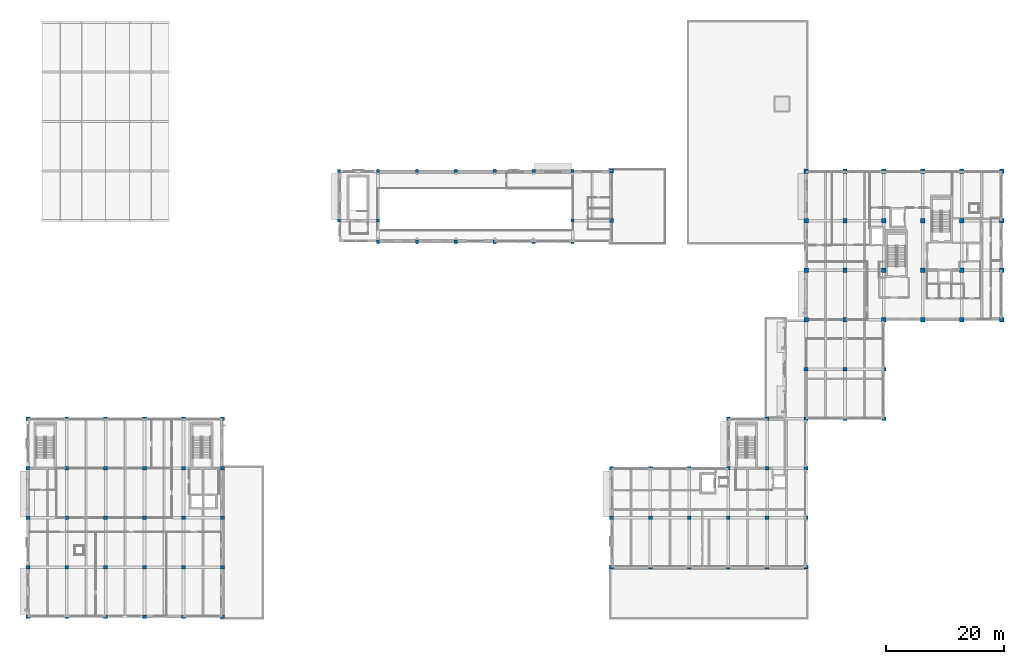
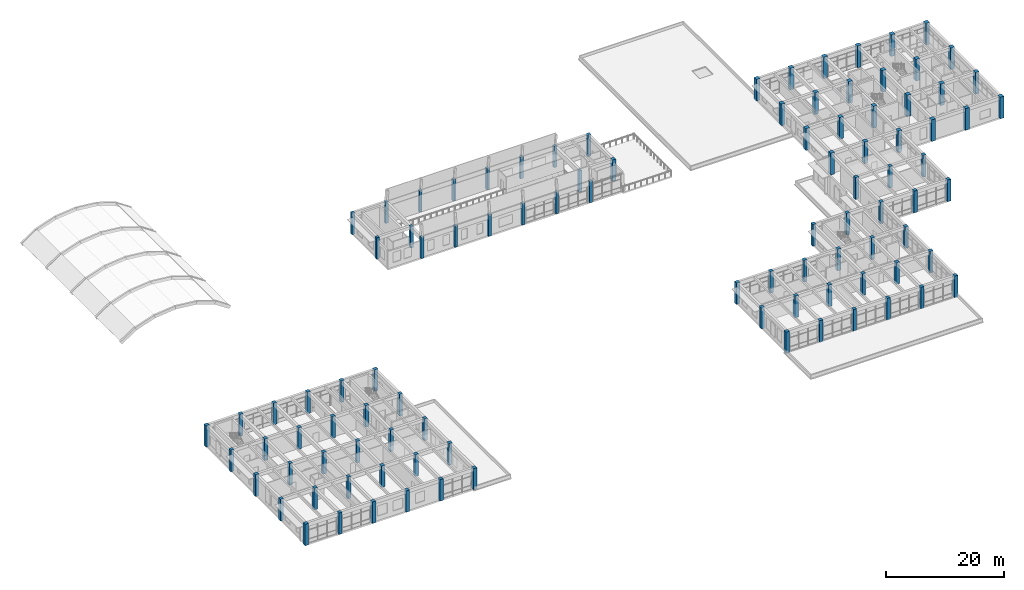
# One storey, part 1 of 50: 98 columns.
"""IFC4 building model written with IfcOpenShell, lengths in metres."""

from ifc_helpers import new_model, si_unit, direction, frame, origin, origin_2d, place, context, subcontext, project, spatial, rectangle, extrude, material, material_profile, profile_set, type_object, element, save


model = new_model("IFC4")

# Units and contexts
model_context = context("Model", 3, precision=1e-05, world=origin(), true_north=direction((0.0, 1.0)))
body_context = subcontext(model_context, "Body", "Model", "MODEL_VIEW")
ifc_project = project(units=[si_unit("LENGTHUNIT", "METRE"), si_unit("AREAUNIT", "SQUARE_METRE"), si_unit("VOLUMEUNIT", "CUBIC_METRE"), si_unit("PLANEANGLEUNIT", "RADIAN"), si_unit("MASSUNIT", "GRAM", prefix="KILO")], contexts=[model_context])

# Site, building, storey
site_placement = place(None, origin())
site = spatial("IfcSite", under=ifc_project, at=site_placement, CompositionType="ELEMENT")
building_placement = place(site_placement, origin())
building = spatial("IfcBuilding", under=site, at=building_placement, Name="Kolvaren Faculty of Natural Sciences", CompositionType="ELEMENT")
storey_placement = place(building_placement, frame((0.0, 0.0, 15.0)))
storey = spatial("IfcBuildingStorey", under=building, at=storey_placement, Name="L03", CompositionType="ELEMENT", Elevation=15.0)

# Columns
ifc_material_1 = material(Name="Concrete C40/50", Category="concrete")
ifc_material_profile_1 = material_profile(ifc_material_1, rectangle(XDim=0.75, YDim=0.75, at=origin_2d()), Name="RC COL 750x750")
ifc_profile_set_1 = profile_set([ifc_material_profile_1], Name="Concrete C40/50")
column_type_1 = type_object("IfcColumnType", Name="TowerColumn_750x750", PredefinedType="COLUMN", material=ifc_profile_set_1)
for number, where, z_axis, x_axis, name in (
    (1, (138.800048828125, 59.0, 0.0), (0.0, 0.0, 1.0), (1.0, 0.0, 0.0), "L03 column TC-75 at 22/H"),
    (2, (138.800048828125, 67.39990234375, 0.0), (0.0, 0.0, 1.0), (1.0, 0.0, 0.0), "L03 column TC-75 at 22/J"),
    (3, (138.800048828125, 75.800048828125, 0.0), (0.0, 0.0, 1.0), (1.0, 0.0, 0.0), "L03 column TC-75 at 22/K"),
    (4, (138.800048828125, 84.199951171875, 0.0), (0.0, 0.0, 1.0), (1.0, 0.0, 0.0), "L03 column TC-75 at 22/L"),
    (5, (145.39990234375, 59.0, 0.0), (0.0, 0.0, 1.0), (1.0, 0.0, 0.0), "L03 column TC-75 at 23/H"),
    (6, (145.39990234375, 67.39990234375, 0.0), (0.0, 0.0, 1.0), (1.0, 0.0, 0.0), "L03 column TC-75 at 23/J"),
    (7, (145.39990234375, 75.800048828125, 0.0), (0.0, 0.0, 1.0), (1.0, 0.0, 0.0), "L03 column TC-75 at 23/K"),
    (8, (145.39990234375, 84.199951171875, 0.0), (0.0, 0.0, 1.0), (1.0, 0.0, 0.0), "L03 column TC-75 at 23/L"),
    (9, (152.0, 59.0, 0.0), (0.0, 0.0, 1.0), (1.0, 0.0, 0.0), "L03 column TC-75 at 24/H"),
    (10, (152.0, 67.39990234375, 0.0), (0.0, 0.0, 1.0), (1.0, 0.0, 0.0), "L03 column TC-75 at 24/J"),
    (11, (152.0, 75.800048828125, 0.0), (0.0, 0.0, 1.0), (1.0, 0.0, 0.0), "L03 column TC-75 at 24/K"),
    (12, (152.0, 84.199951171875, 0.0), (0.0, 0.0, 1.0), (1.0, 0.0, 0.0), "L03 column TC-75 at 24/L"),
    (13, (158.60009765625, 59.0, 0.0), (0.0, 0.0, 1.0), (1.0, 0.0, 0.0), "L03 column TC-75 at 25/H"),
    (14, (158.60009765625, 67.39990234375, 0.0), (0.0, 0.0, 1.0), (1.0, 0.0, 0.0), "L03 column TC-75 at 25/J"),
    (15, (158.60009765625, 75.800048828125, 0.0), (0.0, 0.0, 1.0), (1.0, 0.0, 0.0), "L03 column TC-75 at 25/K"),
    (16, (158.60009765625, 84.199951171875, 0.0), (0.0, 0.0, 1.0), (1.0, 0.0, 0.0), "L03 column TC-75 at 25/L"),
    (17, (165.199951171875, 59.0, 0.0), (0.0, 0.0, 1.0), (1.0, 0.0, 0.0), "L03 column TC-75 at 26/H"),
    (18, (165.199951171875, 67.39990234375, 0.0), (0.0, 0.0, 1.0), (1.0, 0.0, 0.0), "L03 column TC-75 at 26/J"),
    (19, (165.199951171875, 75.800048828125, 0.0), (0.0, 0.0, 1.0), (1.0, 0.0, 0.0), "L03 column TC-75 at 26/K"),
    (20, (165.199951171875, 84.199951171875, 0.0), (0.0, 0.0, 1.0), (1.0, 0.0, 0.0), "L03 column TC-75 at 26/L"),
    (21, (172.0, 59.0, 0.0), (0.0, 0.0, 1.0), (1.0, 0.0, 0.0), "L03 column TC-75 at 27/H"),
    (22, (172.0, 67.39990234375, 0.0), (0.0, 0.0, 1.0), (1.0, 0.0, 0.0), "L03 column TC-75 at 27/J"),
    (23, (172.0, 75.800048828125, 0.0), (0.0, 0.0, 1.0), (1.0, 0.0, 0.0), "L03 column TC-75 at 27/K"),
    (24, (172.0, 84.199951171875, 0.0), (0.0, 0.0, 1.0), (1.0, 0.0, 0.0), "L03 column TC-75 at 27/L"),
):
    element("IfcColumn", number, at=place(storey_placement, frame(where, z_axis=z_axis, x_axis=x_axis)), inside=storey, type_object=column_type_1, Name=name, PredefinedType="COLUMN", context=body_context, shape_type="SweptSolid", body=[
        extrude(rectangle(XDim=0.75, YDim=0.75, at=origin_2d()), origin(), (0.0, 0.0, 1.0), 4.5),
    ])
ifc_material_2 = material(Name="Concrete C35/45", Category="concrete")
ifc_material_profile_2 = material_profile(ifc_material_2, rectangle(XDim=0.550048828125, YDim=0.550048828125, at=origin_2d()), Name="RC COL 550x550")
ifc_profile_set_2 = profile_set([ifc_material_profile_2], Name="Concrete C35/45")
column_type_2 = type_object("IfcColumnType", Name="UpperColumn_550x550", PredefinedType="COLUMN", material=ifc_profile_set_2)
for number, where, z_axis, x_axis, name in (
    (25, (59.60009765625, 75.800048828125, 0.0), (0.0, 0.0, 1.0), (1.0, 0.0, 0.0), "L03 column UC-55 at 10/K"),
    (26, (59.60009765625, 84.199951171875, 0.0), (0.0, 0.0, 1.0), (1.0, 0.0, 0.0), "L03 column UC-55 at 10/L"),
    (27, (66.199951171875, 75.800048828125, 0.0), (0.0, 0.0, 1.0), (1.0, 0.0, 0.0), "L03 column UC-55 at 11/K"),
    (28, (66.199951171875, 84.199951171875, 0.0), (0.0, 0.0, 1.0), (1.0, 0.0, 0.0), "L03 column UC-55 at 11/L"),
    (29, (72.800048828125, 84.199951171875, 0.0), (0.0, 0.0, 1.0), (1.0, 0.0, 0.0), "L03 column UC-55 at 12/L"),
    (30, (79.39990234375, 84.199951171875, 0.0), (0.0, 0.0, 1.0), (1.0, 0.0, 0.0), "L03 column UC-55 at 13/L"),
    (31, (86.0, 84.199951171875, 0.0), (0.0, 0.0, 1.0), (1.0, 0.0, 0.0), "L03 column UC-55 at 14/L"),
    (32, (92.60009765625, 84.199951171875, 0.0), (0.0, 0.0, 1.0), (1.0, 0.0, 0.0), "L03 column UC-55 at 15/L"),
    (33, (99.199951171875, 75.800048828125, 0.0), (0.0, 0.0, 1.0), (1.0, 0.0, 0.0), "L03 column UC-55 at 16/K"),
    (34, (99.199951171875, 84.199951171875, 0.0), (0.0, 0.0, 1.0), (1.0, 0.0, 0.0), "L03 column UC-55 at 16/L"),
    (35, (66.199951171875, 72.199951171875, 0.0), (0.0, 0.0, 1.0), (1.0, 0.0, 0.0), "L03 atrium vault springing column UC-55 at X=66.2"),
    (36, (72.800048828125, 72.199951171875, 0.0), (0.0, 0.0, 1.0), (1.0, 0.0, 0.0), "L03 atrium vault springing column UC-55 at X=72.8"),
    (37, (79.39990234375, 72.199951171875, 0.0), (0.0, 0.0, 1.0), (1.0, 0.0, 0.0), "L03 atrium vault springing column UC-55 at X=79.4"),
    (38, (86.0, 72.199951171875, 0.0), (0.0, 0.0, 1.0), (1.0, 0.0, 0.0), "L03 atrium vault springing column UC-55 at X=86.0"),
    (39, (92.60009765625, 72.199951171875, 0.0), (0.0, 0.0, 1.0), (1.0, 0.0, 0.0), "L03 atrium vault springing column UC-55 at X=92.6"),
    (40, (99.199951171875, 72.199951171875, 0.0), (0.0, 0.0, 1.0), (1.0, 0.0, 0.0), "L03 atrium vault springing column UC-55 at X=99.2"),
):
    element("IfcColumn", number, at=place(storey_placement, frame(where, z_axis=z_axis, x_axis=x_axis)), inside=storey, type_object=column_type_2, Name=name, PredefinedType="COLUMN", context=body_context, shape_type="SweptSolid", body=[
        extrude(rectangle(XDim=0.550048828125, YDim=0.550048828125, at=origin_2d()), origin(), (0.0, 0.0, 1.0), 4.43994140625),
    ])
ifc_material_profile_3 = material_profile(ifc_material_2, rectangle(XDim=0.64990234375, YDim=0.64990234375, at=origin_2d()), Name="RC COL 650x650")
ifc_profile_set_3 = profile_set([ifc_material_profile_3], Name="Concrete C35/45")
column_type_3 = type_object("IfcColumnType", Name="WingColumn_650x650", PredefinedType="COLUMN", material=ifc_profile_set_3)
column_1_placement = place(storey_placement, frame((6.800048828125, 8.60009765625, 0.0), z_axis=(0.0, 0.0, 1.0), x_axis=(1.0, 0.0, 0.0)))
element("IfcColumn", 41, at=column_1_placement, inside=storey, type_object=column_type_3, Name="L03 column WC-65 at 2/B", PredefinedType="COLUMN", context=body_context, shape_type="SweptSolid", body=[
    extrude(rectangle(XDim=0.64990234375, YDim=0.64990234375, at=origin_2d()), origin(), (0.0, 0.0, 1.0), 4.43994140625),
])
for number, where, z_axis, x_axis, name in (
    (42, (6.800048828125, 17.0, 0.0), (0.0, 0.0, 1.0), (1.0, 0.0, 0.0), "L03 column WC-65 at 2/C"),
    (43, (6.800048828125, 25.39990234375, 0.0), (0.0, 0.0, 1.0), (1.0, 0.0, 0.0), "L03 column WC-65 at 2/D"),
    (44, (6.800048828125, 33.800048828125, 0.0), (0.0, 0.0, 1.0), (1.0, 0.0, 0.0), "L03 column WC-65 at 2/E"),
    (45, (6.800048828125, 42.199951171875, 0.0), (0.0, 0.0, 1.0), (1.0, 0.0, 0.0), "L03 column WC-65 at 2/F"),
):
    element("IfcColumn", number, at=place(storey_placement, frame(where, z_axis=z_axis, x_axis=x_axis)), inside=storey, type_object=column_type_3, Name=name, PredefinedType="COLUMN", context=body_context, shape_type="SweptSolid", body=[
        extrude(rectangle(XDim=0.64990234375, YDim=0.64990234375, at=origin_2d()), origin(), (0.0, 0.0, 1.0), 4.5),
    ])
column_2_placement = place(storey_placement, frame((13.39990234375, 8.60009765625, 0.0), z_axis=(0.0, 0.0, 1.0), x_axis=(1.0, 0.0, 0.0)))
element("IfcColumn", 46, at=column_2_placement, inside=storey, type_object=column_type_3, Name="L03 column WC-65 at 3/B", PredefinedType="COLUMN", context=body_context, shape_type="SweptSolid", body=[
    extrude(rectangle(XDim=0.64990234375, YDim=0.64990234375, at=origin_2d()), origin(), (0.0, 0.0, 1.0), 4.43994140625),
])
for number, where, z_axis, x_axis, name in (
    (47, (13.39990234375, 17.0, 0.0), (0.0, 0.0, 1.0), (1.0, 0.0, 0.0), "L03 column WC-65 at 3/C"),
    (48, (13.39990234375, 25.39990234375, 0.0), (0.0, 0.0, 1.0), (1.0, 0.0, 0.0), "L03 column WC-65 at 3/D"),
    (49, (13.39990234375, 33.800048828125, 0.0), (0.0, 0.0, 1.0), (1.0, 0.0, 0.0), "L03 column WC-65 at 3/E"),
    (50, (13.39990234375, 42.199951171875, 0.0), (0.0, 0.0, 1.0), (1.0, 0.0, 0.0), "L03 column WC-65 at 3/F"),
):
    element("IfcColumn", number, at=place(storey_placement, frame(where, z_axis=z_axis, x_axis=x_axis)), inside=storey, type_object=column_type_3, Name=name, PredefinedType="COLUMN", context=body_context, shape_type="SweptSolid", body=[
        extrude(rectangle(XDim=0.64990234375, YDim=0.64990234375, at=origin_2d()), origin(), (0.0, 0.0, 1.0), 4.5),
    ])
column_3_placement = place(storey_placement, frame((20.0, 8.60009765625, 0.0), z_axis=(0.0, 0.0, 1.0), x_axis=(1.0, 0.0, 0.0)))
element("IfcColumn", 51, at=column_3_placement, inside=storey, type_object=column_type_3, Name="L03 column WC-65 at 4/B", PredefinedType="COLUMN", context=body_context, shape_type="SweptSolid", body=[
    extrude(rectangle(XDim=0.64990234375, YDim=0.64990234375, at=origin_2d()), origin(), (0.0, 0.0, 1.0), 4.43994140625),
])
for number, where, z_axis, x_axis, name in (
    (52, (20.0, 17.0, 0.0), (0.0, 0.0, 1.0), (1.0, 0.0, 0.0), "L03 column WC-65 at 4/C"),
    (53, (20.0, 25.39990234375, 0.0), (0.0, 0.0, 1.0), (1.0, 0.0, 0.0), "L03 column WC-65 at 4/D"),
    (54, (20.0, 33.800048828125, 0.0), (0.0, 0.0, 1.0), (1.0, 0.0, 0.0), "L03 column WC-65 at 4/E"),
    (55, (20.0, 42.199951171875, 0.0), (0.0, 0.0, 1.0), (1.0, 0.0, 0.0), "L03 column WC-65 at 4/F"),
):
    element("IfcColumn", number, at=place(storey_placement, frame(where, z_axis=z_axis, x_axis=x_axis)), inside=storey, type_object=column_type_3, Name=name, PredefinedType="COLUMN", context=body_context, shape_type="SweptSolid", body=[
        extrude(rectangle(XDim=0.64990234375, YDim=0.64990234375, at=origin_2d()), origin(), (0.0, 0.0, 1.0), 4.5),
    ])
column_4_placement = place(storey_placement, frame((26.60009765625, 8.60009765625, 0.0), z_axis=(0.0, 0.0, 1.0), x_axis=(1.0, 0.0, 0.0)))
element("IfcColumn", 56, at=column_4_placement, inside=storey, type_object=column_type_3, Name="L03 column WC-65 at 5/B", PredefinedType="COLUMN", context=body_context, shape_type="SweptSolid", body=[
    extrude(rectangle(XDim=0.64990234375, YDim=0.64990234375, at=origin_2d()), origin(), (0.0, 0.0, 1.0), 4.43994140625),
])
for number, where, z_axis, x_axis, name in (
    (57, (26.60009765625, 17.0, 0.0), (0.0, 0.0, 1.0), (1.0, 0.0, 0.0), "L03 column WC-65 at 5/C"),
    (58, (26.60009765625, 25.39990234375, 0.0), (0.0, 0.0, 1.0), (1.0, 0.0, 0.0), "L03 column WC-65 at 5/D"),
    (59, (26.60009765625, 33.800048828125, 0.0), (0.0, 0.0, 1.0), (1.0, 0.0, 0.0), "L03 column WC-65 at 5/E"),
    (60, (26.60009765625, 42.199951171875, 0.0), (0.0, 0.0, 1.0), (1.0, 0.0, 0.0), "L03 column WC-65 at 5/F"),
):
    element("IfcColumn", number, at=place(storey_placement, frame(where, z_axis=z_axis, x_axis=x_axis)), inside=storey, type_object=column_type_3, Name=name, PredefinedType="COLUMN", context=body_context, shape_type="SweptSolid", body=[
        extrude(rectangle(XDim=0.64990234375, YDim=0.64990234375, at=origin_2d()), origin(), (0.0, 0.0, 1.0), 4.5),
    ])
column_5_placement = place(storey_placement, frame((33.199951171875, 8.60009765625, 0.0), z_axis=(0.0, 0.0, 1.0), x_axis=(1.0, 0.0, 0.0)))
element("IfcColumn", 61, at=column_5_placement, inside=storey, type_object=column_type_3, Name="L03 column WC-65 at 6/B", PredefinedType="COLUMN", context=body_context, shape_type="SweptSolid", body=[
    extrude(rectangle(XDim=0.64990234375, YDim=0.64990234375, at=origin_2d()), origin(), (0.0, 0.0, 1.0), 4.43994140625),
])
for number, where, z_axis, x_axis, name in (
    (62, (33.199951171875, 17.0, 0.0), (0.0, 0.0, 1.0), (1.0, 0.0, 0.0), "L03 column WC-65 at 6/C"),
    (63, (33.199951171875, 25.39990234375, 0.0), (0.0, 0.0, 1.0), (1.0, 0.0, 0.0), "L03 column WC-65 at 6/D"),
    (64, (33.199951171875, 33.800048828125, 0.0), (0.0, 0.0, 1.0), (1.0, 0.0, 0.0), "L03 column WC-65 at 6/E"),
    (65, (33.199951171875, 42.199951171875, 0.0), (0.0, 0.0, 1.0), (1.0, 0.0, 0.0), "L03 column WC-65 at 6/F"),
):
    element("IfcColumn", number, at=place(storey_placement, frame(where, z_axis=z_axis, x_axis=x_axis)), inside=storey, type_object=column_type_3, Name=name, PredefinedType="COLUMN", context=body_context, shape_type="SweptSolid", body=[
        extrude(rectangle(XDim=0.64990234375, YDim=0.64990234375, at=origin_2d()), origin(), (0.0, 0.0, 1.0), 4.5),
    ])
column_6_placement = place(storey_placement, frame((39.800048828125, 8.60009765625, 0.0), z_axis=(0.0, 0.0, 1.0), x_axis=(1.0, 0.0, 0.0)))
element("IfcColumn", 66, at=column_6_placement, inside=storey, type_object=column_type_3, Name="L03 column WC-65 at 7/B", PredefinedType="COLUMN", context=body_context, shape_type="SweptSolid", body=[
    extrude(rectangle(XDim=0.64990234375, YDim=0.64990234375, at=origin_2d()), origin(), (0.0, 0.0, 1.0), 4.43994140625),
])
for number, where, z_axis, x_axis, name in (
    (67, (39.800048828125, 17.0, 0.0), (0.0, 0.0, 1.0), (1.0, 0.0, 0.0), "L03 column WC-65 at 7/C"),
    (68, (39.800048828125, 25.39990234375, 0.0), (0.0, 0.0, 1.0), (1.0, 0.0, 0.0), "L03 column WC-65 at 7/D"),
    (69, (39.800048828125, 33.800048828125, 0.0), (0.0, 0.0, 1.0), (1.0, 0.0, 0.0), "L03 column WC-65 at 7/E"),
    (70, (39.800048828125, 42.199951171875, 0.0), (0.0, 0.0, 1.0), (1.0, 0.0, 0.0), "L03 column WC-65 at 7/F"),
):
    element("IfcColumn", number, at=place(storey_placement, frame(where, z_axis=z_axis, x_axis=x_axis)), inside=storey, type_object=column_type_3, Name=name, PredefinedType="COLUMN", context=body_context, shape_type="SweptSolid", body=[
        extrude(rectangle(XDim=0.64990234375, YDim=0.64990234375, at=origin_2d()), origin(), (0.0, 0.0, 1.0), 4.5),
    ])
for number, where, z_axis, x_axis, name in (
    (71, (105.800048828125, 17.0, 0.0), (0.0, 0.0, 1.0), (1.0, 0.0, 0.0), "L03 column WC-65 at 17/C"),
    (72, (105.800048828125, 25.39990234375, 0.0), (0.0, 0.0, 1.0), (1.0, 0.0, 0.0), "L03 column WC-65 at 17/D"),
    (73, (105.800048828125, 33.800048828125, 0.0), (0.0, 0.0, 1.0), (1.0, 0.0, 0.0), "L03 column WC-65 at 17/E"),
    (74, (105.800048828125, 75.800048828125, 0.0), (0.0, 0.0, 1.0), (1.0, 0.0, 0.0), "L03 column WC-65 at 17/K"),
    (75, (105.800048828125, 84.199951171875, 0.0), (0.0, 0.0, 1.0), (1.0, 0.0, 0.0), "L03 column WC-65 at 17/L"),
):
    element("IfcColumn", number, at=place(storey_placement, frame(where, z_axis=z_axis, x_axis=x_axis)), inside=storey, type_object=column_type_3, Name=name, PredefinedType="COLUMN", context=body_context, shape_type="SweptSolid", body=[
        extrude(rectangle(XDim=0.64990234375, YDim=0.64990234375, at=origin_2d()), origin(), (0.0, 0.0, 1.0), 4.43994140625),
    ])
for number, where, z_axis, x_axis, name in (
    (76, (112.39990234375, 17.0, 0.0), (0.0, 0.0, 1.0), (1.0, 0.0, 0.0), "L03 column WC-65 at 18/C"),
    (77, (112.39990234375, 25.39990234375, 0.0), (0.0, 0.0, 1.0), (1.0, 0.0, 0.0), "L03 column WC-65 at 18/D"),
    (78, (112.39990234375, 33.800048828125, 0.0), (0.0, 0.0, 1.0), (1.0, 0.0, 0.0), "L03 column WC-65 at 18/E"),
    (79, (119.0, 17.0, 0.0), (0.0, 0.0, 1.0), (1.0, 0.0, 0.0), "L03 column WC-65 at 19/C"),
    (80, (119.0, 25.39990234375, 0.0), (0.0, 0.0, 1.0), (1.0, 0.0, 0.0), "L03 column WC-65 at 19/D"),
    (81, (119.0, 33.800048828125, 0.0), (0.0, 0.0, 1.0), (1.0, 0.0, 0.0), "L03 column WC-65 at 19/E"),
    (82, (125.60009765625, 17.0, 0.0), (0.0, 0.0, 1.0), (1.0, 0.0, 0.0), "L03 column WC-65 at 20/C"),
    (83, (125.60009765625, 25.39990234375, 0.0), (0.0, 0.0, 1.0), (1.0, 0.0, 0.0), "L03 column WC-65 at 20/D"),
    (84, (125.60009765625, 33.800048828125, 0.0), (0.0, 0.0, 1.0), (1.0, 0.0, 0.0), "L03 column WC-65 at 20/E"),
    (85, (125.60009765625, 42.199951171875, 0.0), (0.0, 0.0, 1.0), (1.0, 0.0, 0.0), "L03 column WC-65 at 20/F"),
    (86, (132.199951171875, 17.0, 0.0), (0.0, 0.0, 1.0), (1.0, 0.0, 0.0), "L03 column WC-65 at 21/C"),
    (87, (132.199951171875, 25.39990234375, 0.0), (0.0, 0.0, 1.0), (1.0, 0.0, 0.0), "L03 column WC-65 at 21/D"),
    (88, (132.199951171875, 33.800048828125, 0.0), (0.0, 0.0, 1.0), (1.0, 0.0, 0.0), "L03 column WC-65 at 21/E"),
    (89, (132.199951171875, 42.199951171875, 0.0), (0.0, 0.0, 1.0), (1.0, 0.0, 0.0), "L03 column WC-65 at 21/F"),
    (90, (138.800048828125, 17.0, 0.0), (0.0, 0.0, 1.0), (1.0, 0.0, 0.0), "L03 column WC-65 at 22/C"),
    (91, (138.800048828125, 25.39990234375, 0.0), (0.0, 0.0, 1.0), (1.0, 0.0, 0.0), "L03 column WC-65 at 22/D"),
    (92, (138.800048828125, 33.800048828125, 0.0), (0.0, 0.0, 1.0), (1.0, 0.0, 0.0), "L03 column WC-65 at 22/E"),
    (93, (138.800048828125, 42.199951171875, 0.0), (0.0, 0.0, 1.0), (1.0, 0.0, 0.0), "L03 column WC-65 at 22/F"),
    (94, (138.800048828125, 50.60009765625, 0.0), (0.0, 0.0, 1.0), (1.0, 0.0, 0.0), "L03 column WC-65 at 22/G"),
    (95, (145.39990234375, 42.199951171875, 0.0), (0.0, 0.0, 1.0), (1.0, 0.0, 0.0), "L03 column WC-65 at 23/F"),
    (96, (145.39990234375, 50.60009765625, 0.0), (0.0, 0.0, 1.0), (1.0, 0.0, 0.0), "L03 column WC-65 at 23/G"),
    (97, (152.0, 42.199951171875, 0.0), (0.0, 0.0, 1.0), (1.0, 0.0, 0.0), "L03 column WC-65 at 24/F"),
    (98, (152.0, 50.60009765625, 0.0), (0.0, 0.0, 1.0), (1.0, 0.0, 0.0), "L03 column WC-65 at 24/G"),
):
    element("IfcColumn", number, at=place(storey_placement, frame(where, z_axis=z_axis, x_axis=x_axis)), inside=storey, type_object=column_type_3, Name=name, PredefinedType="COLUMN", context=body_context, shape_type="SweptSolid", body=[
        extrude(rectangle(XDim=0.64990234375, YDim=0.64990234375, at=origin_2d()), origin(), (0.0, 0.0, 1.0), 4.5),
    ])

save(model, "model.ifc")
